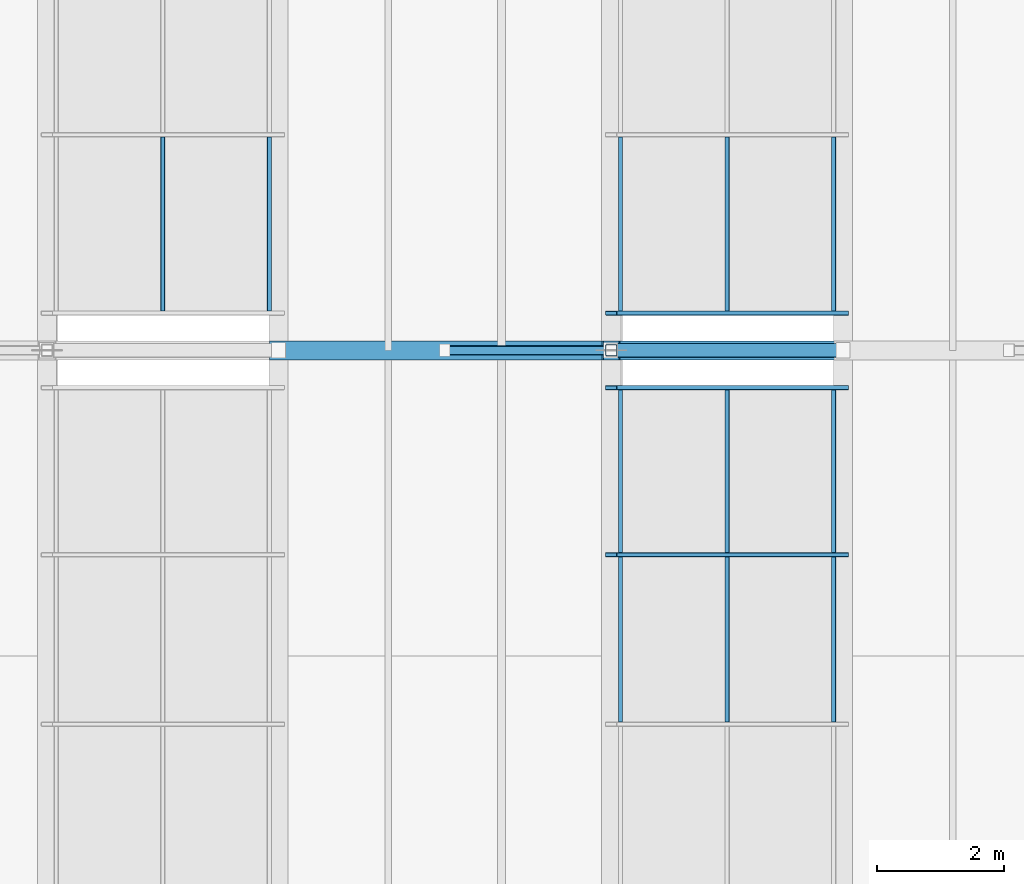
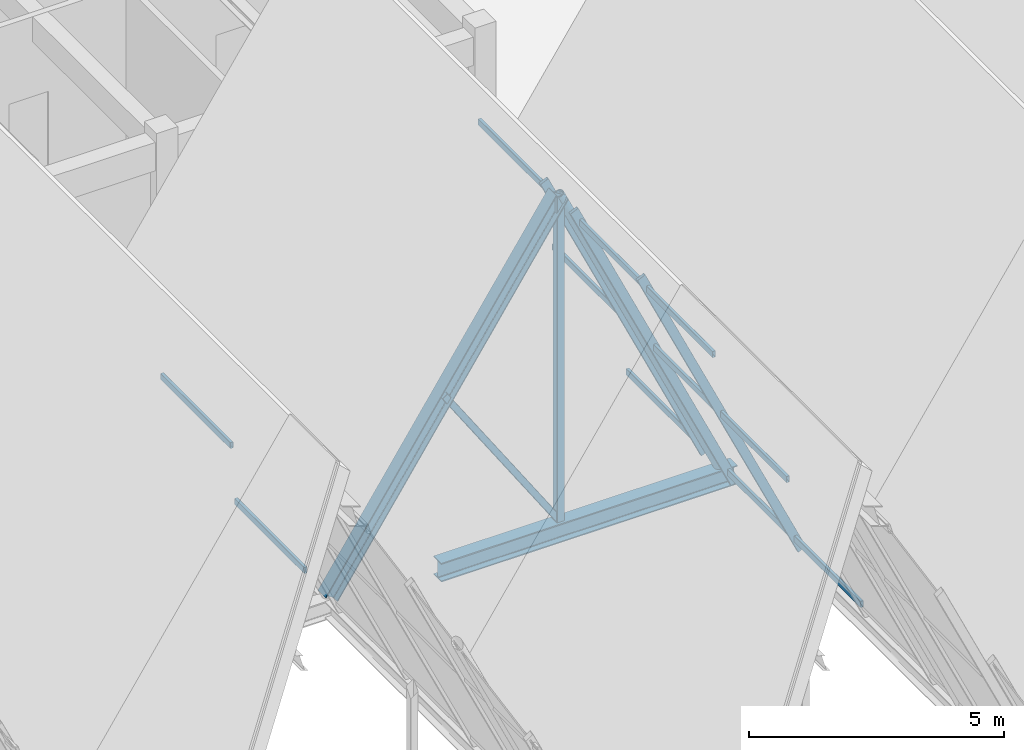
# One storey, part 49 of 99: 18 members, 1 beam, 3 elements without a shape of their own.
"""IFC4 building model written with IfcOpenShell, lengths in metres."""

from ifc_helpers import new_model, si_unit, direction, frame, origin, origin_2d, place, context, subcontext, project, spatial, hollow_rectangle, hollow_circle, i_section, extrude, material, material_profile, profile_set, type_object, element, aggregate, save


model = new_model("IFC4")

# Units and contexts
model_context = context("Model", 3, precision=1e-05, world=origin(), true_north=direction((0.0, 1.0)))
body_context = subcontext(model_context, "Body", "Model", "MODEL_VIEW")
ifc_project = project(units=[si_unit("LENGTHUNIT", "METRE"), si_unit("AREAUNIT", "SQUARE_METRE"), si_unit("VOLUMEUNIT", "CUBIC_METRE"), si_unit("PLANEANGLEUNIT", "RADIAN"), si_unit("MASSUNIT", "GRAM", prefix="KILO")], contexts=[model_context])

# Site, building, storey
site_placement = place(None, origin())
site = spatial("IfcSite", under=ifc_project, at=site_placement, CompositionType="ELEMENT")
building_placement = place(site_placement, origin())
building = spatial("IfcBuilding", under=site, at=building_placement, Name="Bramveld Media Centre", CompositionType="ELEMENT")
storey_placement = place(building_placement, frame((0.0, 0.0, 13.800048828125)))
storey = spatial("IfcBuildingStorey", under=building, at=storey_placement, Name="L03", CompositionType="ELEMENT", Elevation=13.800048828125)

# Curtain wall, members
ifc_material_1 = material(Name="Thermally broken anodized bronze aluminium unitized curtain wall with solar-control triple glazing", Category="aluminium")
curtain_wall_type_1 = type_object("IfcCurtainWallType", Name="CW-SAW-13300x8606", PredefinedType="NOTDEFINED", material=ifc_material_1)
curtain_wall_1_placement = place(storey_placement, origin())
curtain_wall_1 = element("IfcCurtainWall", 1, at=curtain_wall_1_placement, inside=storey, type_object=curtain_wall_type_1, Name="V1 sawtooth north-light clerestory B4-S2", PredefinedType="NOTDEFINED")
ifc_material_2 = material(Name="Thermally broken anodized bronze aluminium EN AW-6063 T6 curtain-wall framing", Category="aluminium")
ifc_material_profile_1 = material_profile(ifc_material_2, hollow_rectangle(XDim=0.070068359375, YDim=0.199951171875, WallThickness=0.00439453125, InnerFilletRadius=0.00439453125, OuterFilletRadius=0.009033203125, at=origin_2d()), Name="AL-MULL 70x200")
ifc_profile_set_1 = profile_set([ifc_material_profile_1], Name="Thermally broken anodized bronze aluminium EN AW-6063 T6 curtain-wall framing")
member_type_1 = type_object("IfcMemberType", Name="CW-MULL-SLP", PredefinedType="MULLION", material=ifc_profile_set_1)
member_1_placement = place(storey_placement, frame((159.4287109375, 25.590087890625, -0.02001953125), z_axis=(-0.423980334249, 0.0, 0.905671395248), x_axis=(0.0, -1.0, 0.0)))
member_1 = element("IfcMember", 2, at=member_1_placement, type_object=member_type_1, Name="CW-SA-13386 sloped mullion 5", PredefinedType="MULLION", context=body_context, shape_type="SweptSolid", body=[
    extrude(hollow_rectangle(XDim=0.070068359375, YDim=0.199951171875, WallThickness=0.00439453125, InnerFilletRadius=0.00439453125, OuterFilletRadius=0.009033203125, at=origin_2d()), origin(), (0.0, 0.0, 1.0), 8.579345703125),
])
member_2_placement = place(storey_placement, frame((159.4287109375, 28.215087890625, -0.02001953125), z_axis=(-0.423980334249, 0.0, 0.905671395248), x_axis=(0.0, -1.0, 0.0)))
member_2 = element("IfcMember", 3, at=member_2_placement, type_object=member_type_1, Name="CW-SA-13386 sloped mullion 6", PredefinedType="MULLION", context=body_context, shape_type="SweptSolid", body=[
    extrude(hollow_rectangle(XDim=0.070068359375, YDim=0.199951171875, WallThickness=0.00439453125, InnerFilletRadius=0.00439453125, OuterFilletRadius=0.009033203125, at=origin_2d()), origin(), (0.0, 0.0, 1.0), 8.579345703125),
])

# Curtain wall, member
ifc_material_3 = material(Name="Thermally broken anodized bronze aluminium unitized curtain wall with solar-control triple glazing", Category="aluminium")
curtain_wall_type_2 = type_object("IfcCurtainWallType", Name="CW-SAW-8500x8606", PredefinedType="NOTDEFINED", material=ifc_material_3)
curtain_wall_2_placement = place(storey_placement, origin())
curtain_wall_2 = element("IfcCurtainWall", 4, at=curtain_wall_2_placement, inside=storey, type_object=curtain_wall_type_2, Name="V1 sawtooth north-light clerestory B4-S3", PredefinedType="NOTDEFINED")
member_3_placement = place(storey_placement, frame((159.4287109375, 29.385009765625, -0.02001953125), z_axis=(-0.423980334249, 0.0, 0.905671395248), x_axis=(0.0, -1.0, 0.0)))
member_3 = element("IfcMember", 5, at=member_3_placement, type_object=member_type_1, Name="CW-SA-8586 sloped mullion 1", PredefinedType="MULLION", context=body_context, shape_type="SweptSolid", body=[
    extrude(hollow_rectangle(XDim=0.070068359375, YDim=0.199951171875, WallThickness=0.00439453125, InnerFilletRadius=0.00439453125, OuterFilletRadius=0.009033203125, at=origin_2d()), origin(), (0.0, 0.0, 1.0), 8.579345703125),
])

# Curtain wall, members
curtain_wall_3_placement = place(storey_placement, origin())
curtain_wall_3 = element("IfcCurtainWall", 6, at=curtain_wall_3_placement, inside=storey, type_object=curtain_wall_type_2, Name="V1 sawtooth north-light clerestory B3-S3", PredefinedType="NOTDEFINED")
ifc_material_4 = material(Name="Thermally broken anodized bronze aluminium EN AW-6063 T6 curtain-wall framing", Category="aluminium")
ifc_material_profile_2 = material_profile(ifc_material_4, hollow_rectangle(XDim=0.070068359375, YDim=0.14990234375, WallThickness=0.00390625, InnerFilletRadius=0.00390625, OuterFilletRadius=0.008056640625, at=origin_2d()), Name="AL-TRAN 70x150")
ifc_profile_set_2 = profile_set([ifc_material_profile_2], Name="Thermally broken anodized bronze aluminium EN AW-6063 T6 curtain-wall framing")
member_type_2 = type_object("IfcMemberType", Name="CW-TRAN-SLP", PredefinedType="USERDEFINED", material=ifc_profile_set_2)
member_4_placement = place(storey_placement, frame((150.42578125, 29.419921875, 0.290771484375), z_axis=(0.0, 1.0, 0.0), x_axis=(-1.0, 0.0, 0.0)))
member_4 = element("IfcMember", 7, at=member_4_placement, type_object=member_type_2, Name="CW-SA-8586 transom 1.1", ObjectType="TRANSOM", PredefinedType="USERDEFINED", context=body_context, shape_type="SweptSolid", body=[
    extrude(hollow_rectangle(XDim=0.070068359375, YDim=0.14990234375, WallThickness=0.00390625, InnerFilletRadius=0.00390625, OuterFilletRadius=0.008056640625, at=origin_2d()), origin(), (0.0, 0.0, 1.0), 2.728271484375),
])
member_5_placement = place(storey_placement, frame((148.752685546875, 29.419921875, 3.864990234375), z_axis=(0.0, 1.0, 0.0), x_axis=(-1.0, 0.0, 0.0)))
member_5 = element("IfcMember", 8, at=member_5_placement, type_object=member_type_2, Name="CW-SA-8586 transom 1.2", ObjectType="TRANSOM", PredefinedType="USERDEFINED", context=body_context, shape_type="SweptSolid", body=[
    extrude(hollow_rectangle(XDim=0.070068359375, YDim=0.14990234375, WallThickness=0.00390625, InnerFilletRadius=0.00390625, OuterFilletRadius=0.008056640625, at=origin_2d()), origin(), (0.0, 0.0, 1.0), 2.728271484375),
])
aggregate(curtain_wall_3, [member_4, member_5])

# Member
member_6_placement = place(storey_placement, frame((159.283203125, 22.965087890625, 0.290771484375), z_axis=(0.0, 1.0, 0.0), x_axis=(-1.0, 0.0, 0.0)))
member_6 = element("IfcMember", 9, at=member_6_placement, type_object=member_type_2, Name="CW-SA-13386 transom 4.1", ObjectType="TRANSOM", PredefinedType="USERDEFINED", context=body_context, shape_type="SweptSolid", body=[
    extrude(hollow_rectangle(XDim=0.070068359375, YDim=0.14990234375, WallThickness=0.00390625, InnerFilletRadius=0.00390625, OuterFilletRadius=0.008056640625, at=origin_2d()), origin(), (0.0, 0.0, 1.0), 2.58984375),
])

member_7_placement = place(storey_placement, frame((157.60986328125, 22.965087890625, 3.864990234375), z_axis=(0.0, 1.0, 0.0), x_axis=(-1.0, 0.0, 0.0)))
member_7 = element("IfcMember", 10, at=member_7_placement, type_object=member_type_2, Name="CW-SA-13386 transom 4.2", ObjectType="TRANSOM", PredefinedType="USERDEFINED", context=body_context, shape_type="SweptSolid", body=[
    extrude(hollow_rectangle(XDim=0.070068359375, YDim=0.14990234375, WallThickness=0.00390625, InnerFilletRadius=0.00390625, OuterFilletRadius=0.008056640625, at=origin_2d()), origin(), (0.0, 0.0, 1.0), 2.58984375),
])

member_8_placement = place(storey_placement, frame((155.936767578125, 22.965087890625, 7.439208984375), z_axis=(0.0, 1.0, 0.0), x_axis=(-1.0, 0.0, 0.0)))
member_8 = element("IfcMember", 11, at=member_8_placement, type_object=member_type_2, Name="CW-SA-13386 transom 4.3", ObjectType="TRANSOM", PredefinedType="USERDEFINED", context=body_context, shape_type="SweptSolid", body=[
    extrude(hollow_rectangle(XDim=0.070068359375, YDim=0.14990234375, WallThickness=0.00390625, InnerFilletRadius=0.00390625, OuterFilletRadius=0.008056640625, at=origin_2d()), origin(), (0.0, 0.0, 1.0), 2.58984375),
])

member_9_placement = place(storey_placement, frame((159.283203125, 25.625, 0.290771484375), z_axis=(0.0, 1.0, 0.0), x_axis=(-1.0, 0.0, 0.0)))
member_9 = element("IfcMember", 12, at=member_9_placement, type_object=member_type_2, Name="CW-SA-13386 transom 5.1", ObjectType="TRANSOM", PredefinedType="USERDEFINED", context=body_context, shape_type="SweptSolid", body=[
    extrude(hollow_rectangle(XDim=0.070068359375, YDim=0.14990234375, WallThickness=0.00390625, InnerFilletRadius=0.00390625, OuterFilletRadius=0.008056640625, at=origin_2d()), origin(), (0.0, 0.0, 1.0), 2.554931640625),
])

member_10_placement = place(storey_placement, frame((157.60986328125, 25.625, 3.864990234375), z_axis=(0.0, 1.0, 0.0), x_axis=(-1.0, 0.0, 0.0)))
member_10 = element("IfcMember", 13, at=member_10_placement, type_object=member_type_2, Name="CW-SA-13386 transom 5.2", ObjectType="TRANSOM", PredefinedType="USERDEFINED", context=body_context, shape_type="SweptSolid", body=[
    extrude(hollow_rectangle(XDim=0.070068359375, YDim=0.14990234375, WallThickness=0.00390625, InnerFilletRadius=0.00390625, OuterFilletRadius=0.008056640625, at=origin_2d()), origin(), (0.0, 0.0, 1.0), 2.554931640625),
])

member_11_placement = place(storey_placement, frame((155.936767578125, 25.625, 7.439208984375), z_axis=(0.0, 1.0, 0.0), x_axis=(-1.0, 0.0, 0.0)))
member_11 = element("IfcMember", 14, at=member_11_placement, type_object=member_type_2, Name="CW-SA-13386 transom 5.3", ObjectType="TRANSOM", PredefinedType="USERDEFINED", context=body_context, shape_type="SweptSolid", body=[
    extrude(hollow_rectangle(XDim=0.070068359375, YDim=0.14990234375, WallThickness=0.00390625, InnerFilletRadius=0.00390625, OuterFilletRadius=0.008056640625, at=origin_2d()), origin(), (0.0, 0.0, 1.0), 2.554931640625),
])

aggregate(curtain_wall_1, [member_1, member_2, member_6, member_7, member_8, member_9, member_10, member_11])

member_12_placement = place(storey_placement, frame((159.283203125, 29.419921875, 0.290771484375), z_axis=(0.0, 1.0, 0.0), x_axis=(-1.0, 0.0, 0.0)))
member_12 = element("IfcMember", 15, at=member_12_placement, type_object=member_type_2, Name="CW-SA-8586 transom 1.1", ObjectType="TRANSOM", PredefinedType="USERDEFINED", context=body_context, shape_type="SweptSolid", body=[
    extrude(hollow_rectangle(XDim=0.070068359375, YDim=0.14990234375, WallThickness=0.00390625, InnerFilletRadius=0.00390625, OuterFilletRadius=0.008056640625, at=origin_2d()), origin(), (0.0, 0.0, 1.0), 2.728271484375),
])

member_13_placement = place(storey_placement, frame((157.60986328125, 29.419921875, 3.864990234375), z_axis=(0.0, 1.0, 0.0), x_axis=(-1.0, 0.0, 0.0)))
member_13 = element("IfcMember", 16, at=member_13_placement, type_object=member_type_2, Name="CW-SA-8586 transom 1.2", ObjectType="TRANSOM", PredefinedType="USERDEFINED", context=body_context, shape_type="SweptSolid", body=[
    extrude(hollow_rectangle(XDim=0.070068359375, YDim=0.14990234375, WallThickness=0.00390625, InnerFilletRadius=0.00390625, OuterFilletRadius=0.008056640625, at=origin_2d()), origin(), (0.0, 0.0, 1.0), 2.728271484375),
])

member_14_placement = place(storey_placement, frame((155.936767578125, 29.419921875, 7.439208984375), z_axis=(0.0, 1.0, 0.0), x_axis=(-1.0, 0.0, 0.0)))
member_14 = element("IfcMember", 17, at=member_14_placement, type_object=member_type_2, Name="CW-SA-8586 transom 1.3", ObjectType="TRANSOM", PredefinedType="USERDEFINED", context=body_context, shape_type="SweptSolid", body=[
    extrude(hollow_rectangle(XDim=0.070068359375, YDim=0.14990234375, WallThickness=0.00390625, InnerFilletRadius=0.00390625, OuterFilletRadius=0.008056640625, at=origin_2d()), origin(), (0.0, 0.0, 1.0), 2.728271484375),
])

aggregate(curtain_wall_2, [member_3, member_12, member_13, member_14])

# Members
ifc_material_5 = material(Name="Steel S355J2H", Category="steel")
ifc_material_profile_3 = material_profile(ifc_material_5, hollow_circle(Radius=0.109619140625, WallThickness=0.012451171875, at=origin_2d()), Name="CHS 219.1x12.5")
ifc_profile_set_3 = profile_set([ifc_material_profile_3], Name="Steel S355J2H")
member_type_3 = type_object("IfcMemberType", Name="MEM-BRACE-CHS219", PredefinedType="BRACE", material=ifc_profile_set_3)
member_15_placement = place(storey_placement, frame((159.4287109375, 28.800048828125, 0.0), z_axis=(-0.422640085544, 0.0, 0.90629761011), x_axis=(0.0, -1.0, 0.0)))
element("IfcMember", 18, at=member_15_placement, inside=storey, type_object=member_type_3, Name="TRUSS-V1-B04-F4 north-light strut", PredefinedType="BRACE", context=body_context, shape_type="SweptSolid", body=[
    extrude(hollow_circle(Radius=0.109619140625, WallThickness=0.012451171875, at=origin_2d()), origin(), (0.0, 0.0, 1.0), 8.6064453125),
])
ifc_material_6 = material(Name="Steel S355J2H", Category="steel")
ifc_material_profile_4 = material_profile(ifc_material_6, hollow_rectangle(XDim=0.14990234375, YDim=0.14990234375, WallThickness=0.010009765625, InnerFilletRadius=0.010009765625, OuterFilletRadius=0.02001953125, at=origin_2d()), Name="SHS 150x150x10")
ifc_profile_set_4 = profile_set([ifc_material_profile_4], Name="Steel S355J2H")
member_type_4 = type_object("IfcMemberType", Name="MEM-BRACE-SHS150", PredefinedType="BRACE", material=ifc_profile_set_4)
member_16_placement = place(storey_placement, frame((155.791259765625, 28.800048828125, 0.0), z_axis=(-0.55616408489, 0.0, 0.83107250627), x_axis=(0.0, -1.0, 0.0)))
element("IfcMember", 19, at=member_16_placement, inside=storey, type_object=member_type_4, Name="TRUSS-V1-B04-F4 web diagonal", PredefinedType="BRACE", context=body_context, shape_type="SweptSolid", body=[
    extrude(hollow_rectangle(XDim=0.14990234375, YDim=0.14990234375, WallThickness=0.010009765625, InnerFilletRadius=0.010009765625, OuterFilletRadius=0.02001953125, at=origin_2d()), origin(), (0.0, 0.0, 1.0), 4.692626953125),
])
ifc_material_7 = material(Name="Steel S355J2", Category="steel")
ifc_material_profile_5 = material_profile(ifc_material_7, i_section(OverallWidth=0.300048828125, OverallDepth=0.340087890625, WebThickness=0.011962890625, FlangeThickness=0.021484375, FilletRadius=0.027099609375, at=origin_2d()), Name="HEB 340")
ifc_profile_set_5 = profile_set([ifc_material_profile_5], Name="Steel S355J2")
member_type_5 = type_object("IfcMemberType", Name="MEM-CHORD-HEB340", PredefinedType="CHORD", material=ifc_profile_set_5)
member_17_placement = place(storey_placement, frame((150.5712890625, 28.800048828125, 0.0), z_axis=(0.556170027887, 0.0, 0.831068529112), x_axis=(0.0, 1.0, 0.0)))
element("IfcMember", 20, at=member_17_placement, inside=storey, type_object=member_type_5, Name="TRUSS-V1-B04-F4 top rafter chord", PredefinedType="CHORD", context=body_context, shape_type="SweptSolid", body=[
    extrude(i_section(OverallWidth=0.300048828125, OverallDepth=0.340087890625, WebThickness=0.011962890625, FlangeThickness=0.021484375, FilletRadius=0.027099609375, at=origin_2d()), origin(), (0.0, 0.0, 1.0), 9.385498046875),
])
ifc_material_8 = material(Name="Steel S355J2H", Category="steel")
ifc_material_profile_6 = material_profile(ifc_material_8, hollow_rectangle(XDim=0.179931640625, YDim=0.179931640625, WallThickness=0.010009765625, InnerFilletRadius=0.010009765625, OuterFilletRadius=0.02001953125, at=origin_2d()), Name="SHS 180x180x10")
ifc_profile_set_6 = profile_set([ifc_material_profile_6], Name="Steel S355J2H")
member_type_6 = type_object("IfcMemberType", Name="MEM-POST-SHS180", PredefinedType="POST", material=ifc_profile_set_6)
member_18_placement = place(storey_placement, frame((155.791259765625, 28.800048828125, 0.0), z_axis=(0.0, 0.0, 1.0), x_axis=(1.0, 0.0, 0.0)))
element("IfcMember", 21, at=member_18_placement, inside=storey, type_object=member_type_6, Name="TRUSS-V1-B04-F4 kingpost", PredefinedType="POST", context=body_context, shape_type="SweptSolid", body=[
    extrude(hollow_rectangle(XDim=0.179931640625, YDim=0.179931640625, WallThickness=0.010009765625, InnerFilletRadius=0.010009765625, OuterFilletRadius=0.02001953125, at=origin_2d()), origin(), (0.0, 0.0, 1.0), 7.800048828125),
])

# Beam
ifc_material_9 = material(Name="Steel S355J2", Category="steel")
ifc_material_profile_7 = material_profile(ifc_material_9, i_section(OverallWidth=0.300048828125, OverallDepth=0.449951171875, WebThickness=0.013916015625, FlangeThickness=0.02587890625, FilletRadius=0.027099609375, at=origin_2d()), Name="HEB 450")
ifc_profile_set_7 = profile_set([ifc_material_profile_7], Name="Steel S355J2")
beam_type = type_object("IfcBeamType", Name="SBM-INT-HEB-450", PredefinedType="BEAM", material=ifc_profile_set_7)
beam_placement = place(storey_placement, frame((153.050048828125, 28.800048828125, -0.22509765625), z_axis=(1.0, 0.0, 0.0), x_axis=(0.0, 1.0, 0.0)))
element("IfcBeam", 22, at=beam_placement, inside=storey, type_object=beam_type, Name="V1 sawtooth tie girder", PredefinedType="BEAM", context=body_context, shape_type="SweptSolid", body=[
    extrude(i_section(OverallWidth=0.300048828125, OverallDepth=0.449951171875, WebThickness=0.013916015625, FlangeThickness=0.02587890625, FilletRadius=0.027099609375, at=origin_2d()), origin(), (0.0, 0.0, 1.0), 6.699951171875),
])

save(model, "model.ifc")
